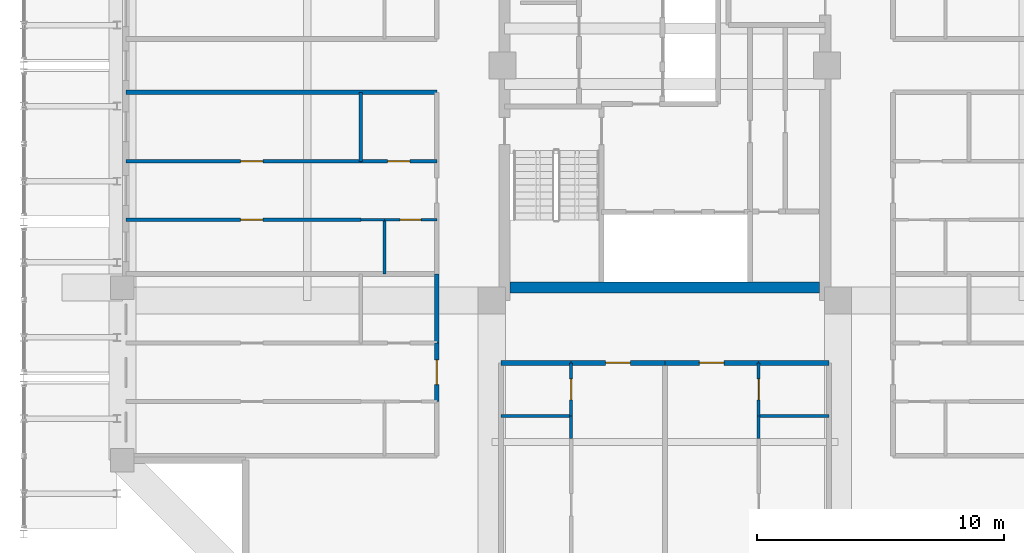
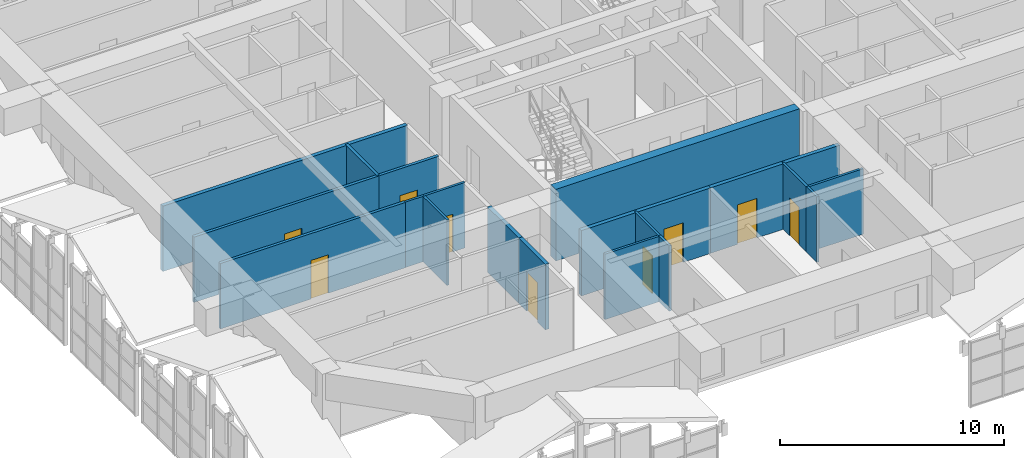
# One storey, part 37 of 45: 21 walls, 9 doors, 9 openings.
"""IFC4 building model written with IfcOpenShell, lengths in metres."""

from ifc_helpers import new_model, si_unit, direction, frame, frame_2d, origin, place, context, subcontext, project, spatial, rectangle, extrude, source, transform, mapped, material, layer, layer_set, type_object, element, fill, save


model = new_model("IFC4")

# Units and contexts
model_context = context("Model", 3, precision=1e-05, world=origin(), true_north=direction((0.0, 1.0)))
body_context = subcontext(model_context, "Body", "Model", "MODEL_VIEW")
ifc_project = project(units=[si_unit("LENGTHUNIT", "METRE"), si_unit("AREAUNIT", "SQUARE_METRE"), si_unit("VOLUMEUNIT", "CUBIC_METRE"), si_unit("PLANEANGLEUNIT", "RADIAN"), si_unit("MASSUNIT", "GRAM", prefix="KILO")], contexts=[model_context])

# Site, building, storey
site_placement = place(None, origin())
site = spatial("IfcSite", under=ifc_project, at=site_placement, CompositionType="ELEMENT")
building_placement = place(site_placement, origin())
building = spatial("IfcBuilding", under=site, at=building_placement, Name="Saelheon Loggia Tower", CompositionType="ELEMENT")
storey_placement = place(building_placement, frame((0.0, 0.0, 152.199951171875)))
storey = spatial("IfcBuildingStorey", under=building, at=storey_placement, Name="L48", CompositionType="ELEMENT", Elevation=152.199951171875)

# Walls
ifc_material_1 = material(Name="Concrete C45/55", Category="concrete")
ifc_layer_1 = layer(ifc_material_1, 0.449951171875)
ifc_layer_set_1 = layer_set([ifc_layer_1], Name="Concrete C45/55")
wall_type_1 = type_object("IfcWallType", Name="Wall_CoreShear_450", PredefinedType="SHEAR", material=ifc_layer_set_1)
wall_1_placement = place(storey_placement, frame((31.72509765625, 18.0, 0.0), z_axis=(0.0, 0.0, 1.0), x_axis=(1.0, 0.0, 0.0)))
element("IfcWall", 1, at=wall_1_placement, inside=storey, type_object=wall_type_1, Name="L48 Core Shear Wall South", PredefinedType="SHEAR", context=body_context, shape_type="SweptSolid", body=[
    extrude(rectangle(XDim=12.5498046875, YDim=0.449951171875, at=frame_2d((6.27490234375, 0.0))), origin(), (0.0, 0.0, 1.0), 3.900146484375),
])
ifc_material_2 = material(Name="Lightweight Autoclaved Aerated Concrete Block and Acoustic Gypsum", Category="concrete")
ifc_layer_2 = layer(ifc_material_2, 0.14990234375)
ifc_layer_set_2 = layer_set([ifc_layer_2], Name="Lightweight Autoclaved Aerated Concrete Block and Acoustic Gypsum")
wall_type_2 = type_object("IfcWallType", Name="Wall_Part_150", PredefinedType="PARTITIONING", material=ifc_layer_set_2)
wall_2_placement = place(storey_placement, frame((25.669921875, 23.119384765625, 0.0), z_axis=(0.0, 0.0, 1.0), x_axis=(0.0, 1.0, 0.0)))
element("IfcWall", 2, at=wall_2_placement, inside=storey, type_object=wall_type_2, Name="L48 WS Partition V18", PredefinedType="PARTITIONING", context=body_context, shape_type="SweptSolid", body=[
    extrude(rectangle(XDim=2.800537109375, YDim=0.14990234375, at=frame_2d((1.400390625, 0.0))), origin(), (0.0, 0.0, 1.0), 3.56005859375),
])

# Wall, opening, door
wall_3_placement = place(storey_placement, frame((25.669921875, 20.75, 0.0), z_axis=(0.0, 0.0, 1.0), x_axis=(-1.0, 0.0, 0.0)))
wall_3 = element("IfcWall", 3, at=wall_3_placement, inside=storey, type_object=wall_type_2, Name="L48 WS Partition U21", PredefinedType="PARTITIONING", context=body_context, shape_type="SweptSolid", body=[
    extrude(rectangle(XDim=9.52001953125, YDim=0.14990234375, at=frame_2d((4.760009765625, 0.0))), origin(), (0.0, 0.0, 1.0), 3.56005859375),
])
opening_1_placement = place(wall_3_placement, frame((3.970703125, 0.0, 0.0)))
opening_1 = element("IfcOpeningElement", 4, at=opening_1_placement, cuts=wall_3, Name="Opening D-IN2", PredefinedType="OPENING", context=body_context, shape_type="SweptSolid", body=[
    extrude(rectangle(XDim=0.89990234375, YDim=2.10009765625, at=frame_2d((0.449951171875, 1.050048828125))), frame((0.0, 0.0869140625, 0.0), z_axis=(0.0, -1.0, 0.0), x_axis=(1.0, 0.0, 0.0)), (0.0, 0.0, 1.0), 0.173828125),
])
ifc_material_3 = material(Name="Engineered Oak Flush Door", Category="timber")
door_type_1 = type_object("IfcDoorType", Name="Door_Int_900", OperationType="NOTDEFINED", PredefinedType="DOOR", material=ifc_material_3)
shared_shape_1 = source(origin(), body_context, "Body", "SweptSolid", [
    extrude(rectangle(XDim=0.89990234375, YDim=2.10009765625, at=frame_2d((0.449951171875, 1.050048828125))), frame((0.0, 0.02490234375, 0.0), z_axis=(0.0, -1.0, 0.0), x_axis=(1.0, 0.0, 0.0)), (0.0, 0.0, 1.0), 0.050048828125),
])
door_1_placement = place(opening_1_placement, origin())
door_1 = element("IfcDoor", 5, at=door_1_placement, inside=storey, type_object=door_type_1, Name="Unit U06 Kitchen Door", OperationType="SINGLE_SWING_LEFT", OverallHeight=2.10009765625, OverallWidth=0.89990234375, PredefinedType="DOOR", context=body_context, shape_type="MappedRepresentation", body=[
    mapped(shared_shape_1, transform((0.0, 0.0, 0.0), scale=1.0)),
])
fill(opening_1, door_1)

wall_4_placement = place(storey_placement, frame((28.75, 23.119384765625, 0.0), z_axis=(0.0, 0.0, 1.0), x_axis=(-1.0, 0.0, 0.0)))
wall_4 = element("IfcWall", 6, at=wall_4_placement, inside=storey, type_object=wall_type_2, Name="L48 WS Partition U22", PredefinedType="PARTITIONING", context=body_context, shape_type="SweptSolid", body=[
    extrude(rectangle(XDim=3.080078125, YDim=0.14990234375, at=frame_2d((1.5400390625, 0.0))), origin(), (0.0, 0.0, 1.0), 3.56005859375),
])
opening_2_placement = place(wall_4_placement, frame((1.090087890625, 0.0, 0.0)))
opening_2 = element("IfcOpeningElement", 7, at=opening_2_placement, cuts=wall_4, Name="Opening D-IN2", PredefinedType="OPENING", context=body_context, shape_type="SweptSolid", body=[
    extrude(rectangle(XDim=0.89990234375, YDim=2.10009765625, at=frame_2d((0.449951171875, 1.050048828125))), frame((0.0, 0.0869140625, 0.0), z_axis=(0.0, -1.0, 0.0), x_axis=(1.0, 0.0, 0.0)), (0.0, 0.0, 1.0), 0.173828125),
])
door_2_placement = place(opening_2_placement, origin())
door_2 = element("IfcDoor", 8, at=door_2_placement, inside=storey, type_object=door_type_1, Name="Unit U06 Dressing Closet Door", OperationType="SINGLE_SWING_RIGHT", OverallHeight=2.10009765625, OverallWidth=0.89990234375, PredefinedType="DOOR", context=body_context, shape_type="MappedRepresentation", body=[
    mapped(shared_shape_1, transform((0.0, 0.0, 0.0), scale=1.0)),
])
fill(opening_2, door_2)

wall_5_placement = place(storey_placement, frame((25.669921875, 23.119384765625, 0.0), z_axis=(0.0, 0.0, 1.0), x_axis=(-1.0, 0.0, 0.0)))
wall_5 = element("IfcWall", 9, at=wall_5_placement, inside=storey, type_object=wall_type_2, Name="L48 WS Partition U23", PredefinedType="PARTITIONING", context=body_context, shape_type="SweptSolid", body=[
    extrude(rectangle(XDim=9.52001953125, YDim=0.14990234375, at=frame_2d((4.760009765625, 0.0))), origin(), (0.0, 0.0, 1.0), 3.56005859375),
])
opening_3_placement = place(wall_5_placement, frame((3.970703125, 0.0, 0.0)))
opening_3 = element("IfcOpeningElement", 10, at=opening_3_placement, cuts=wall_5, Name="Opening D-IN2", PredefinedType="OPENING", context=body_context, shape_type="SweptSolid", body=[
    extrude(rectangle(XDim=0.89990234375, YDim=2.10009765625, at=frame_2d((0.449951171875, 1.050048828125))), frame((0.0, 0.0869140625, 0.0), z_axis=(0.0, -1.0, 0.0), x_axis=(1.0, 0.0, 0.0)), (0.0, 0.0, 1.0), 0.173828125),
])
door_3_placement = place(opening_3_placement, origin())
door_3 = element("IfcDoor", 11, at=door_3_placement, inside=storey, type_object=door_type_1, Name="Unit U06 Bedroom 1 Door", OperationType="SINGLE_SWING_LEFT", OverallHeight=2.10009765625, OverallWidth=0.89990234375, PredefinedType="DOOR", context=body_context, shape_type="MappedRepresentation", body=[
    mapped(shared_shape_1, transform((0.0, 0.0, 0.0), scale=1.0)),
])
fill(opening_3, door_3)

# Wall
ifc_material_4 = material(Name="Double Acoustic Stud and Fireboard Partition", Category="gypsum")
ifc_layer_3 = layer(ifc_material_4, 0.199951171875)
ifc_layer_set_3 = layer_set([ifc_layer_3], Name="Double Acoustic Stud and Fireboard Partition")
wall_type_3 = type_object("IfcWallType", Name="Wall_Party_200", PredefinedType="PARTITIONING", material=ifc_layer_set_3)
wall_6_placement = place(storey_placement, frame((31.35009765625, 14.949951171875, 0.0), z_axis=(0.0, 0.0, 1.0), x_axis=(1.0, 0.0, 0.0)))
element("IfcWall", 12, at=wall_6_placement, inside=storey, type_object=wall_type_3, Name="L48 S Partition V03", PredefinedType="PARTITIONING", context=body_context, shape_type="SweptSolid", body=[
    extrude(rectangle(XDim=2.849853515625, YDim=0.199951171875, at=frame_2d((1.4248046875, 0.0))), origin(), (0.0, 0.0, 1.0), 3.56005859375),
])

# Wall, opening, door
wall_7_placement = place(storey_placement, frame((34.199951171875, 14.949951171875, 0.0), z_axis=(0.0, 0.0, 1.0), x_axis=(1.0, 0.0, 0.0)))
wall_7 = element("IfcWall", 13, at=wall_7_placement, inside=storey, type_object=wall_type_3, Name="L48 S Partition V04", PredefinedType="PARTITIONING", context=body_context, shape_type="SweptSolid", body=[
    extrude(rectangle(XDim=3.800048828125, YDim=0.199951171875, at=frame_2d((1.89990234375, 0.0))), origin(), (0.0, 0.0, 1.0), 3.56005859375),
])
opening_4_placement = place(wall_7_placement, frame((1.39990234375, 0.0, 0.0)))
opening_4 = element("IfcOpeningElement", 14, at=opening_4_placement, cuts=wall_7, Name="Opening D-FD1", PredefinedType="OPENING", context=body_context, shape_type="SweptSolid", body=[
    extrude(rectangle(XDim=1.0, YDim=2.14990234375, at=frame_2d((0.5, 1.074951171875))), frame((0.0, 0.112060546875, 0.0), z_axis=(0.0, -1.0, 0.0), x_axis=(1.0, 0.0, 0.0)), (0.0, 0.0, 1.0), 0.223876953125),
])
ifc_material_5 = material(Name="Fire-Rated Engineered Timber Entrance Door", Category="wood")
door_type_2 = type_object("IfcDoorType", Name="Door_Flat_FD30S", OperationType="NOTDEFINED", PredefinedType="DOOR", material=ifc_material_5)
shared_shape_2 = source(origin(), body_context, "Body", "SweptSolid", [
    extrude(rectangle(XDim=1.0, YDim=2.14990234375, at=frame_2d((0.5, 1.074951171875))), frame((0.0, 0.02490234375, 0.0), z_axis=(0.0, -1.0, 0.0), x_axis=(1.0, 0.0, 0.0)), (0.0, 0.0, 1.0), 0.050048828125),
])
door_4_placement = place(opening_4_placement, origin())
door_4 = element("IfcDoor", 15, at=door_4_placement, inside=storey, type_object=door_type_2, Name="Unit U01 Entrance Door", OperationType="SINGLE_SWING_LEFT", OverallHeight=2.14990234375, OverallWidth=1.0, PredefinedType="DOOR", context=body_context, shape_type="MappedRepresentation", body=[
    mapped(shared_shape_2, transform((0.0, 0.0, 0.0), scale=1.0)),
])
fill(opening_4, door_4)

wall_8_placement = place(storey_placement, frame((38.0, 14.949951171875, 0.0), z_axis=(0.0, 0.0, 1.0), x_axis=(1.0, 0.0, 0.0)))
wall_8 = element("IfcWall", 16, at=wall_8_placement, inside=storey, type_object=wall_type_3, Name="L48 S Partition V10", PredefinedType="PARTITIONING", context=body_context, shape_type="SweptSolid", body=[
    extrude(rectangle(XDim=3.800048828125, YDim=0.199951171875, at=frame_2d((1.89990234375, 0.0))), origin(), (0.0, 0.0, 1.0), 3.56005859375),
])
opening_5_placement = place(wall_8_placement, frame((1.39990234375, 0.0, 0.0)))
opening_5 = element("IfcOpeningElement", 17, at=opening_5_placement, cuts=wall_8, Name="Opening D-FD1", PredefinedType="OPENING", context=body_context, shape_type="SweptSolid", body=[
    extrude(rectangle(XDim=1.0, YDim=2.14990234375, at=frame_2d((0.5, 1.074951171875))), frame((0.0, 0.112060546875, 0.0), z_axis=(0.0, -1.0, 0.0), x_axis=(1.0, 0.0, 0.0)), (0.0, 0.0, 1.0), 0.223876953125),
])
door_5_placement = place(opening_5_placement, origin())
door_5 = element("IfcDoor", 18, at=door_5_placement, inside=storey, type_object=door_type_2, Name="Unit U02 Entrance Door", OperationType="SINGLE_SWING_RIGHT", OverallHeight=2.14990234375, OverallWidth=1.0, PredefinedType="DOOR", context=body_context, shape_type="MappedRepresentation", body=[
    mapped(shared_shape_2, transform((0.0, 0.0, 0.0), scale=1.0)),
])
fill(opening_5, door_5)

# Walls
wall_9_placement = place(storey_placement, frame((41.800048828125, 14.949951171875, 0.0), z_axis=(0.0, 0.0, 1.0), x_axis=(1.0, 0.0, 0.0)))
element("IfcWall", 19, at=wall_9_placement, inside=storey, type_object=wall_type_3, Name="L48 S Partition V11", PredefinedType="PARTITIONING", context=body_context, shape_type="SweptSolid", body=[
    extrude(rectangle(XDim=2.849853515625, YDim=0.199951171875, at=frame_2d((1.4248046875, 0.0))), origin(), (0.0, 0.0, 1.0), 3.56005859375),
])
wall_10_placement = place(storey_placement, frame((28.75, 25.919921875, 0.0), z_axis=(0.0, 0.0, 1.0), x_axis=(-1.0, 0.0, 0.0)))
element("IfcWall", 20, at=wall_10_placement, inside=storey, type_object=wall_type_3, Name="L48 WS Partition U02", PredefinedType="PARTITIONING", context=body_context, shape_type="SweptSolid", body=[
    extrude(rectangle(XDim=12.60009765625, YDim=0.199951171875, at=frame_2d((6.300048828125, 0.0))), origin(), (0.0, 0.0, 1.0), 3.56005859375),
])

# Wall, opening, door
wall_11_placement = place(storey_placement, frame((28.75, 13.3798828125, 0.0), z_axis=(0.0, 0.0, 1.0), x_axis=(0.0, 1.0, 0.0)))
wall_11 = element("IfcWall", 21, at=wall_11_placement, inside=storey, type_object=wall_type_3, Name="L48 WS Partition V04", PredefinedType="PARTITIONING", context=body_context, shape_type="SweptSolid", body=[
    extrude(rectangle(XDim=2.36962890625, YDim=0.199951171875, at=frame_2d((1.184814453125, 0.0))), origin(), (0.0, 0.0, 1.0), 3.56005859375),
])
opening_6_placement = place(wall_11_placement, frame((0.684814453125, 0.0, 0.0)))
opening_6 = element("IfcOpeningElement", 22, at=opening_6_placement, cuts=wall_11, Name="Opening D-FD1", PredefinedType="OPENING", context=body_context, shape_type="SweptSolid", body=[
    extrude(rectangle(XDim=1.0, YDim=2.14990234375, at=frame_2d((0.5, 1.074951171875))), frame((0.0, 0.112060546875, 0.0), z_axis=(0.0, -1.0, 0.0), x_axis=(1.0, 0.0, 0.0)), (0.0, 0.0, 1.0), 0.223876953125),
])
door_6_placement = place(opening_6_placement, origin())
door_6 = element("IfcDoor", 23, at=door_6_placement, inside=storey, type_object=door_type_2, Name="Unit U05 Entrance Door", OperationType="SINGLE_SWING_RIGHT", OverallHeight=2.14990234375, OverallWidth=1.0, PredefinedType="DOOR", context=body_context, shape_type="MappedRepresentation", body=[
    mapped(shared_shape_2, transform((0.0, 0.0, 0.0), scale=1.0)),
])
fill(opening_6, door_6)

# Wall
wall_12_placement = place(storey_placement, frame((28.75, 15.74951171875, 0.0), z_axis=(0.0, 0.0, 1.0), x_axis=(0.0, 1.0, 0.0)))
element("IfcWall", 24, at=wall_12_placement, inside=storey, type_object=wall_type_3, Name="L48 WS Partition V05", PredefinedType="PARTITIONING", context=body_context, shape_type="SweptSolid", body=[
    extrude(rectangle(XDim=2.800537109375, YDim=0.199951171875, at=frame_2d((1.400390625, 0.0))), origin(), (0.0, 0.0, 1.0), 3.56005859375),
])

# Wall, opening, door
ifc_material_6 = material(Name="Moisture-Resistant Cement Board Partition", Category="gypsum")
ifc_layer_4 = layer(ifc_material_6, 0.1201171875)
ifc_layer_set_4 = layer_set([ifc_layer_4], Name="Moisture-Resistant Cement Board Partition")
wall_type_4 = type_object("IfcWallType", Name="Wall_WetPart_120", PredefinedType="PARTITIONING", material=ifc_layer_set_4)
wall_13_placement = place(storey_placement, frame((34.199951171875, 14.949951171875, 0.0), z_axis=(0.0, 0.0, 1.0), x_axis=(0.0, -1.0, 0.0)))
wall_13 = element("IfcWall", 25, at=wall_13_placement, inside=storey, type_object=wall_type_4, Name="L48 S Partition U05", PredefinedType="PARTITIONING", context=body_context, shape_type="SweptSolid", body=[
    extrude(rectangle(XDim=2.14990234375, YDim=0.1201171875, at=frame_2d((1.074951171875, 0.0))), origin(), (0.0, 0.0, 1.0), 3.56005859375),
])
opening_7_placement = place(wall_13_placement, frame((0.64990234375, 0.0, 0.0)))
opening_7 = element("IfcOpeningElement", 26, at=opening_7_placement, cuts=wall_13, Name="Opening D-BT1", PredefinedType="OPENING", context=body_context, shape_type="SweptSolid", body=[
    extrude(rectangle(XDim=0.85009765625, YDim=2.050048828125, at=frame_2d((0.425048828125, 1.02490234375))), frame((0.0, 0.072021484375, 0.0), z_axis=(0.0, -1.0, 0.0), x_axis=(1.0, 0.0, 0.0)), (0.0, 0.0, 1.0), 0.14404296875),
])
ifc_material_7 = material(Name="Moisture-Resistant Laminate Timber Door", Category="wood")
door_type_3 = type_object("IfcDoorType", Name="Door_Bath_850", OperationType="NOTDEFINED", PredefinedType="DOOR", material=ifc_material_7)
shared_shape_3 = source(origin(), body_context, "Body", "SweptSolid", [
    extrude(rectangle(XDim=0.85009765625, YDim=2.050048828125, at=frame_2d((0.425048828125, 1.02490234375))), frame((0.0, 0.02490234375, 0.0), z_axis=(0.0, -1.0, 0.0), x_axis=(1.0, 0.0, 0.0)), (0.0, 0.0, 1.0), 0.050048828125),
])
door_7_placement = place(opening_7_placement, origin())
door_7 = element("IfcDoor", 27, at=door_7_placement, inside=storey, type_object=door_type_3, Name="Unit U01 Bathroom Door", OperationType="SINGLE_SWING_RIGHT", OverallHeight=2.050048828125, OverallWidth=0.85009765625, PredefinedType="DOOR", context=body_context, shape_type="MappedRepresentation", body=[
    mapped(shared_shape_3, transform((0.0, 0.0, 0.0), scale=1.0)),
])
fill(opening_7, door_7)

# Walls
wall_14_placement = place(storey_placement, frame((34.199951171875, 12.800048828125, 0.0), z_axis=(0.0, 0.0, 1.0), x_axis=(0.0, -1.0, 0.0)))
element("IfcWall", 28, at=wall_14_placement, inside=storey, type_object=wall_type_4, Name="L48 S Partition U06", PredefinedType="PARTITIONING", context=body_context, shape_type="SweptSolid", body=[
    extrude(rectangle(XDim=0.929931640625, YDim=0.1201171875, at=frame_2d((0.46484375, 0.0))), origin(), (0.0, 0.0, 1.0), 3.56005859375),
])
wall_15_placement = place(storey_placement, frame((31.35009765625, 12.800048828125, 0.0), z_axis=(0.0, 0.0, 1.0), x_axis=(1.0, 0.0, 0.0)))
element("IfcWall", 29, at=wall_15_placement, inside=storey, type_object=wall_type_4, Name="L48 S Partition V07", PredefinedType="PARTITIONING", context=body_context, shape_type="SweptSolid", body=[
    extrude(rectangle(XDim=2.849853515625, YDim=0.1201171875, at=frame_2d((1.4248046875, 0.0))), origin(), (0.0, 0.0, 1.0), 3.56005859375),
])

# Wall, opening, door
wall_16_placement = place(storey_placement, frame((41.800048828125, 14.949951171875, 0.0), z_axis=(0.0, 0.0, 1.0), x_axis=(0.0, -1.0, 0.0)))
wall_16 = element("IfcWall", 30, at=wall_16_placement, inside=storey, type_object=wall_type_4, Name="L48 S Partition U12", PredefinedType="PARTITIONING", context=body_context, shape_type="SweptSolid", body=[
    extrude(rectangle(XDim=2.14990234375, YDim=0.1201171875, at=frame_2d((1.074951171875, 0.0))), origin(), (0.0, 0.0, 1.0), 3.56005859375),
])
opening_8_placement = place(wall_16_placement, frame((0.64990234375, 0.0, 0.0)))
opening_8 = element("IfcOpeningElement", 31, at=opening_8_placement, cuts=wall_16, Name="Opening D-BT1", PredefinedType="OPENING", context=body_context, shape_type="SweptSolid", body=[
    extrude(rectangle(XDim=0.85009765625, YDim=2.050048828125, at=frame_2d((0.425048828125, 1.02490234375))), frame((0.0, 0.072021484375, 0.0), z_axis=(0.0, -1.0, 0.0), x_axis=(1.0, 0.0, 0.0)), (0.0, 0.0, 1.0), 0.14404296875),
])
door_8_placement = place(opening_8_placement, origin())
door_8 = element("IfcDoor", 32, at=door_8_placement, inside=storey, type_object=door_type_3, Name="Unit U02 Bathroom Door", OperationType="SINGLE_SWING_LEFT", OverallHeight=2.050048828125, OverallWidth=0.85009765625, PredefinedType="DOOR", context=body_context, shape_type="MappedRepresentation", body=[
    mapped(shared_shape_3, transform((0.0, 0.0, 0.0), scale=1.0)),
])
fill(opening_8, door_8)

# Walls
wall_17_placement = place(storey_placement, frame((41.800048828125, 12.800048828125, 0.0), z_axis=(0.0, 0.0, 1.0), x_axis=(0.0, -1.0, 0.0)))
element("IfcWall", 33, at=wall_17_placement, inside=storey, type_object=wall_type_4, Name="L48 S Partition U13", PredefinedType="PARTITIONING", context=body_context, shape_type="SweptSolid", body=[
    extrude(rectangle(XDim=0.929931640625, YDim=0.1201171875, at=frame_2d((0.46484375, 0.0))), origin(), (0.0, 0.0, 1.0), 3.56005859375),
])
wall_18_placement = place(storey_placement, frame((41.800048828125, 12.800048828125, 0.0), z_axis=(0.0, 0.0, 1.0), x_axis=(1.0, 0.0, 0.0)))
element("IfcWall", 34, at=wall_18_placement, inside=storey, type_object=wall_type_4, Name="L48 S Partition V14", PredefinedType="PARTITIONING", context=body_context, shape_type="SweptSolid", body=[
    extrude(rectangle(XDim=2.849853515625, YDim=0.1201171875, at=frame_2d((1.4248046875, 0.0))), origin(), (0.0, 0.0, 1.0), 3.56005859375),
])
wall_19_placement = place(storey_placement, frame((26.6298828125, 18.550048828125, 0.0), z_axis=(0.0, 0.0, 1.0), x_axis=(0.0, 1.0, 0.0)))
element("IfcWall", 35, at=wall_19_placement, inside=storey, type_object=wall_type_4, Name="L48 WS Partition V17", PredefinedType="PARTITIONING", context=body_context, shape_type="SweptSolid", body=[
    extrude(rectangle(XDim=2.199951171875, YDim=0.1201171875, at=frame_2d((1.10009765625, 0.0))), origin(), (0.0, 0.0, 1.0), 3.56005859375),
])

# Wall, opening, door
wall_20_placement = place(storey_placement, frame((28.75, 20.75, 0.0), z_axis=(0.0, 0.0, 1.0), x_axis=(-1.0, 0.0, 0.0)))
wall_20 = element("IfcWall", 36, at=wall_20_placement, inside=storey, type_object=wall_type_4, Name="L48 WS Partition U19", PredefinedType="PARTITIONING", context=body_context, shape_type="SweptSolid", body=[
    extrude(rectangle(XDim=2.1201171875, YDim=0.1201171875, at=frame_2d((1.06005859375, 0.0))), origin(), (0.0, 0.0, 1.0), 3.56005859375),
])
opening_9_placement = place(wall_20_placement, frame((0.635009765625, 0.0, 0.0)))
opening_9 = element("IfcOpeningElement", 37, at=opening_9_placement, cuts=wall_20, Name="Opening D-BT1", PredefinedType="OPENING", context=body_context, shape_type="SweptSolid", body=[
    extrude(rectangle(XDim=0.85009765625, YDim=2.050048828125, at=frame_2d((0.425048828125, 1.02490234375))), frame((0.0, 0.072021484375, 0.0), z_axis=(0.0, -1.0, 0.0), x_axis=(1.0, 0.0, 0.0)), (0.0, 0.0, 1.0), 0.14404296875),
])
door_9_placement = place(opening_9_placement, origin())
door_9 = element("IfcDoor", 38, at=door_9_placement, inside=storey, type_object=door_type_3, Name="Unit U06 Bathroom Door", OperationType="SINGLE_SWING_RIGHT", OverallHeight=2.050048828125, OverallWidth=0.85009765625, PredefinedType="DOOR", context=body_context, shape_type="MappedRepresentation", body=[
    mapped(shared_shape_3, transform((0.0, 0.0, 0.0), scale=1.0)),
])
fill(opening_9, door_9)

# Wall
wall_21_placement = place(storey_placement, frame((26.6298828125, 20.75, 0.0), z_axis=(0.0, 0.0, 1.0), x_axis=(-1.0, 0.0, 0.0)))
element("IfcWall", 39, at=wall_21_placement, inside=storey, type_object=wall_type_4, Name="L48 WS Partition U20", PredefinedType="PARTITIONING", context=body_context, shape_type="SweptSolid", body=[
    extrude(rectangle(XDim=0.9599609375, YDim=0.1201171875, at=frame_2d((0.47998046875, 0.0))), origin(), (0.0, 0.0, 1.0), 3.56005859375),
])

save(model, "model.ifc")
